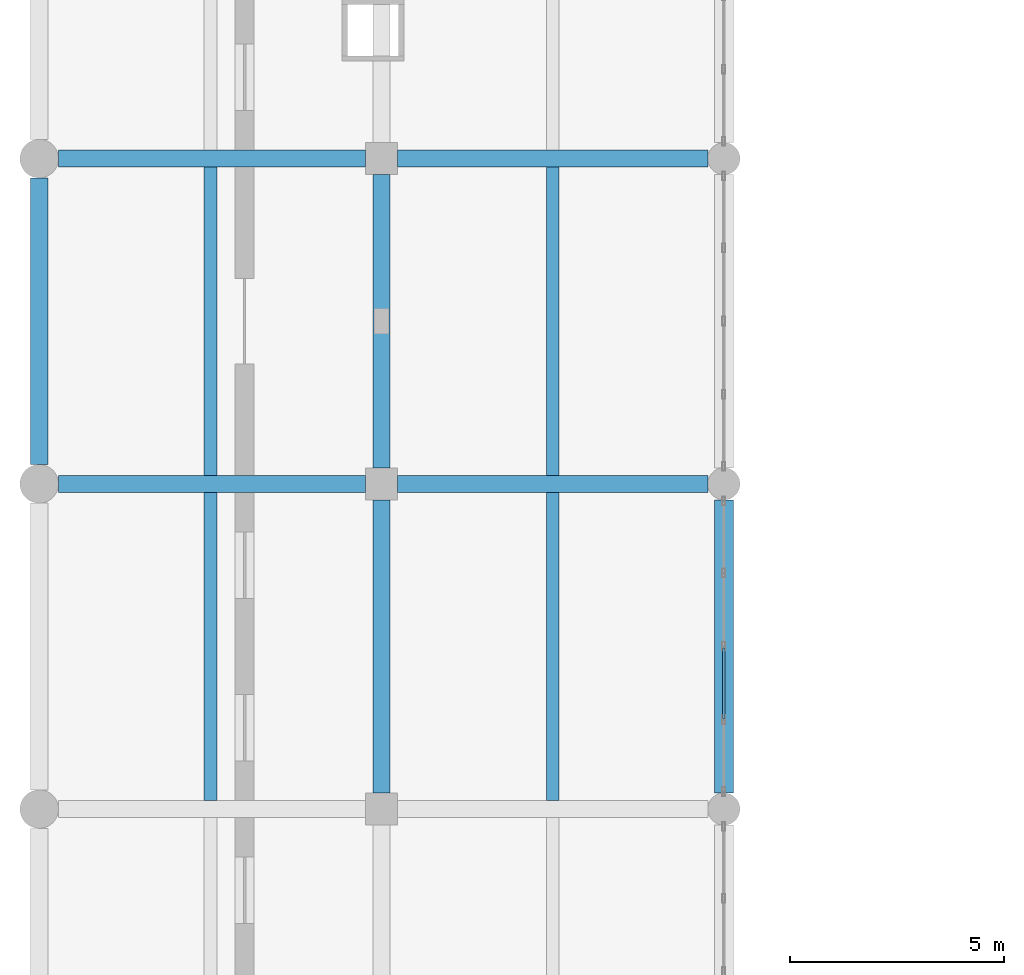
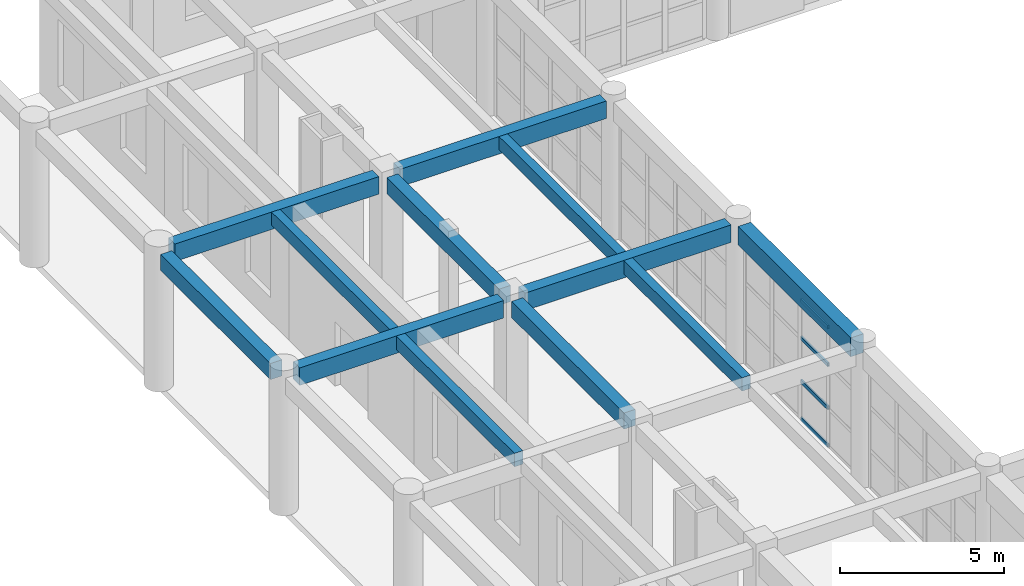
# One storey, part 18 of 95: 12 beams, 4 members, 1 element without a shape of its own.
"""IFC4 building model written with IfcOpenShell, lengths in metres."""

from ifc_helpers import new_model, si_unit, direction, frame, origin, origin_2d, place, context, subcontext, project, spatial, rectangle, hollow_rectangle, extrude, material, material_profile, profile_set, type_object, element, aggregate, save


model = new_model("IFC4")

# Units and contexts
model_context = context("Model", 3, precision=1e-05, world=origin(), true_north=direction((0.0, 1.0)))
body_context = subcontext(model_context, "Body", "Model", "MODEL_VIEW")
ifc_project = project(units=[si_unit("LENGTHUNIT", "METRE"), si_unit("AREAUNIT", "SQUARE_METRE"), si_unit("VOLUMEUNIT", "CUBIC_METRE"), si_unit("PLANEANGLEUNIT", "RADIAN"), si_unit("MASSUNIT", "GRAM", prefix="KILO")], contexts=[model_context])

# Site, building, storey
site_placement = place(None, origin())
site = spatial("IfcSite", under=ifc_project, at=site_placement, CompositionType="ELEMENT")
building_placement = place(site_placement, origin())
building = spatial("IfcBuilding", under=site, at=building_placement, Name="Zantavel Square City Hall", CompositionType="ELEMENT")
storey_placement = place(building_placement, origin())
storey = spatial("IfcBuildingStorey", under=building, at=storey_placement, Name="L01", CompositionType="ELEMENT", Elevation=0.0)

# Curtain wall, members
ifc_material_1 = material(Name="Anodised aluminium 6063-T6", Category="aluminium")
curtain_wall_type = type_object("IfcCurtainWallType", Name="Curtain Wall CRT 6850x4460", PredefinedType="USERDEFINED", material=ifc_material_1)
curtain_wall_placement = place(storey_placement, origin())
curtain_wall = element("IfcCurtainWall", 1, at=curtain_wall_placement, inside=storey, type_object=curtain_wall_type, Name="L01 Glazed Curtain Wall CW-L01-008", ObjectType="GLAZED CURTAIN WALL", PredefinedType="USERDEFINED")
ifc_material_profile_1 = material_profile(ifc_material_1, hollow_rectangle(XDim=0.06005859375, YDim=0.139892578125, WallThickness=0.00390625, at=origin_2d()), Name="ALU 60x140x4")
ifc_profile_set_1 = profile_set([ifc_material_profile_1], Name="Anodised aluminium 6063-T6")
member_type = type_object("IfcMemberType", Name="CW Transom ALU 60x140x4", PredefinedType="USERDEFINED", material=ifc_profile_set_1)
member_1_placement = place(storey_placement, frame((16.0, 49.3701171875, 0.030029296875), z_axis=(0.0, -1.0, 0.0), x_axis=(1.0, 0.0, 0.0)))
member_1 = element("IfcMember", 2, at=member_1_placement, type_object=member_type, Name="CW-008 transom 3.1", ObjectType="TRANSOM", PredefinedType="USERDEFINED", context=body_context, shape_type="SweptSolid", body=[
    extrude(hollow_rectangle(XDim=0.06005859375, YDim=0.139892578125, WallThickness=0.00390625, at=origin_2d()), origin(), (0.0, 0.0, 1.0), 1.652587890625),
])
member_2_placement = place(storey_placement, frame((16.0, 49.3701171875, 1.427001953125), z_axis=(0.0, -1.0, 0.0), x_axis=(1.0, 0.0, 0.0)))
member_2 = element("IfcMember", 3, at=member_2_placement, type_object=member_type, Name="CW-008 transom 3.2", ObjectType="TRANSOM", PredefinedType="USERDEFINED", context=body_context, shape_type="SweptSolid", body=[
    extrude(hollow_rectangle(XDim=0.06005859375, YDim=0.139892578125, WallThickness=0.00390625, at=origin_2d()), origin(), (0.0, 0.0, 1.0), 1.652587890625),
])
member_3_placement = place(storey_placement, frame((16.0, 49.3701171875, 3.032958984375), z_axis=(0.0, -1.0, 0.0), x_axis=(1.0, 0.0, 0.0)))
member_3 = element("IfcMember", 4, at=member_3_placement, type_object=member_type, Name="CW-008 transom 3.3", ObjectType="TRANSOM", PredefinedType="USERDEFINED", context=body_context, shape_type="SweptSolid", body=[
    extrude(hollow_rectangle(XDim=0.06005859375, YDim=0.139892578125, WallThickness=0.00390625, at=origin_2d()), origin(), (0.0, 0.0, 1.0), 1.652587890625),
])
member_4_placement = place(storey_placement, frame((16.0, 49.3701171875, 4.429931640625), z_axis=(0.0, -1.0, 0.0), x_axis=(1.0, 0.0, 0.0)))
member_4 = element("IfcMember", 5, at=member_4_placement, type_object=member_type, Name="CW-008 transom 3.4", ObjectType="TRANSOM", PredefinedType="USERDEFINED", context=body_context, shape_type="SweptSolid", body=[
    extrude(hollow_rectangle(XDim=0.06005859375, YDim=0.139892578125, WallThickness=0.00390625, at=origin_2d()), origin(), (0.0, 0.0, 1.0), 1.652587890625),
])
aggregate(curtain_wall, [member_1, member_2, member_3, member_4])

# Beams
ifc_material_2 = material(Name="Concrete C35/45", Category="concrete")
ifc_material_profile_2 = material_profile(ifc_material_2, rectangle(XDim=0.300048828125, YDim=0.5, at=origin_2d()), Name="RC 300x500")
ifc_profile_set_2 = profile_set([ifc_material_profile_2], Name="Concrete C35/45")
beam_type_1 = type_object("IfcBeamType", Name="Floor Joist RC 300x500 C35/45", PredefinedType="JOIST", material=ifc_profile_set_2)
beam_1_placement = place(storey_placement, frame((4.0, 45.800048828125, 4.89990234375), z_axis=(0.0, 1.0, 0.0), x_axis=(-1.0, 0.0, 0.0)))
element("IfcBeam", 6, at=beam_1_placement, inside=storey, type_object=beam_type_1, Name="L01 Floor Joist JST-L01-0040-0456", PredefinedType="JOIST", context=body_context, shape_type="SweptSolid", body=[
    extrude(rectangle(XDim=0.300048828125, YDim=0.5, at=origin_2d()), origin(), (0.0, 0.0, 1.0), 7.199951171875),
])
beam_2_placement = place(storey_placement, frame((4.0, 53.39990234375, 4.89990234375), z_axis=(0.0, 1.0, 0.0), x_axis=(-1.0, 0.0, 0.0)))
element("IfcBeam", 7, at=beam_2_placement, inside=storey, type_object=beam_type_1, Name="L01 Floor Joist JST-L01-0040-0532", PredefinedType="JOIST", context=body_context, shape_type="SweptSolid", body=[
    extrude(rectangle(XDim=0.300048828125, YDim=0.5, at=origin_2d()), origin(), (0.0, 0.0, 1.0), 7.2001953125),
])
beam_3_placement = place(storey_placement, frame((12.0, 45.800048828125, 4.909912109375), z_axis=(0.0, 1.0, 0.0), x_axis=(-1.0, 0.0, 0.0)))
element("IfcBeam", 8, at=beam_3_placement, inside=storey, type_object=beam_type_1, Name="L01 Floor Joist JST-L01-0120-0456", PredefinedType="JOIST", context=body_context, shape_type="SweptSolid", body=[
    extrude(rectangle(XDim=0.300048828125, YDim=0.5, at=origin_2d()), origin(), (0.0, 0.0, 1.0), 7.199951171875),
])
beam_4_placement = place(storey_placement, frame((12.0, 53.39990234375, 4.909912109375), z_axis=(0.0, 1.0, 0.0), x_axis=(-1.0, 0.0, 0.0)))
element("IfcBeam", 9, at=beam_4_placement, inside=storey, type_object=beam_type_1, Name="L01 Floor Joist JST-L01-0120-0532", PredefinedType="JOIST", context=body_context, shape_type="SweptSolid", body=[
    extrude(rectangle(XDim=0.300048828125, YDim=0.5, at=origin_2d()), origin(), (0.0, 0.0, 1.0), 7.2001953125),
])
ifc_material_profile_3 = material_profile(ifc_material_2, rectangle(XDim=0.39990234375, YDim=0.64990234375, at=origin_2d()), Name="RC 400x650")
ifc_profile_set_3 = profile_set([ifc_material_profile_3], Name="Concrete C35/45")
beam_type_2 = type_object("IfcBeamType", Name="Frame Beam RC 400x650 C35/45", PredefinedType="BEAM", material=ifc_profile_set_3)
for number, where, z_axis, x_axis, name in (
    (10, (0.449951171875, 53.199951171875, 4.824951171875), (1.0, 0.0, 0.0), (0.0, 1.0, 0.0), "L01 Girder BMX-L01-0000-0532"),
    (11, (0.449951171875, 60.800048828125, 4.824951171875), (1.0, 0.0, 0.0), (0.0, 1.0, 0.0), "L01 Girder BMX-L01-0000-0608"),
):
    element("IfcBeam", number, at=place(storey_placement, frame(where, z_axis=z_axis, x_axis=x_axis)), inside=storey, type_object=beam_type_2, Name=name, PredefinedType="BEAM", context=body_context, shape_type="SweptSolid", body=[
        extrude(rectangle(XDim=0.39990234375, YDim=0.64990234375, at=origin_2d()), origin(), (0.0, 0.0, 1.0), 7.175048828125),
    ])
for number, where, z_axis, x_axis, name in (
    (12, (8.375, 53.199951171875, 4.8349609375), (1.0, 0.0, 0.0), (0.0, 1.0, 0.0), "L01 Girder BMX-L01-0080-0532"),
    (13, (8.375, 60.800048828125, 4.8349609375), (1.0, 0.0, 0.0), (0.0, 1.0, 0.0), "L01 Girder BMX-L01-0080-0608"),
):
    element("IfcBeam", number, at=place(storey_placement, frame(where, z_axis=z_axis, x_axis=x_axis)), inside=storey, type_object=beam_type_2, Name=name, PredefinedType="BEAM", context=body_context, shape_type="SweptSolid", body=[
        extrude(rectangle(XDim=0.39990234375, YDim=0.64990234375, at=origin_2d()), origin(), (0.0, 0.0, 1.0), 7.25),
    ])
ifc_material_profile_4 = material_profile(ifc_material_2, rectangle(XDim=0.39990234375, YDim=0.60009765625, at=origin_2d()), Name="RC 400x600")
ifc_profile_set_4 = profile_set([ifc_material_profile_4], Name="Concrete C35/45")
beam_type_3 = type_object("IfcBeamType", Name="Perimeter Spandrel RC 400x600 C35/45", PredefinedType="SPANDREL", material=ifc_profile_set_4)
beam_5_placement = place(storey_placement, frame((0.0, 53.64990234375, 4.85009765625), z_axis=(0.0, 1.0, 0.0), x_axis=(-1.0, 0.0, 0.0)))
element("IfcBeam", 14, at=beam_5_placement, inside=storey, type_object=beam_type_3, Name="L01 Beam BMY-L01-0000-0532", PredefinedType="SPANDREL", context=body_context, shape_type="SweptSolid", body=[
    extrude(rectangle(XDim=0.39990234375, YDim=0.60009765625, at=origin_2d()), origin(), (0.0, 0.0, 1.0), 6.7001953125),
])
beam_6_placement = place(storey_placement, frame((8.0, 45.97509765625, 4.860107421875), z_axis=(0.0, 1.0, 0.0), x_axis=(-1.0, 0.0, 0.0)))
element("IfcBeam", 15, at=beam_6_placement, inside=storey, type_object=beam_type_3, Name="L01 Beam BMY-L01-0080-0456", PredefinedType="SPANDREL", context=body_context, shape_type="SweptSolid", body=[
    extrude(rectangle(XDim=0.39990234375, YDim=0.60009765625, at=origin_2d()), origin(), (0.0, 0.0, 1.0), 6.849853515625),
])
beam_7_placement = place(storey_placement, frame((8.0, 53.574951171875, 4.860107421875), z_axis=(0.0, 1.0, 0.0), x_axis=(-1.0, 0.0, 0.0)))
element("IfcBeam", 16, at=beam_7_placement, inside=storey, type_object=beam_type_3, Name="L01 Beam BMY-L01-0080-0532", PredefinedType="SPANDREL", context=body_context, shape_type="SweptSolid", body=[
    extrude(rectangle(XDim=0.39990234375, YDim=0.60009765625, at=origin_2d()), origin(), (0.0, 0.0, 1.0), 6.85009765625),
])
ifc_material_profile_5 = material_profile(ifc_material_2, rectangle(XDim=0.449951171875, YDim=0.699951171875, at=origin_2d()), Name="RC 450x700")
ifc_profile_set_5 = profile_set([ifc_material_profile_5], Name="Concrete C35/45")
beam_type_4 = type_object("IfcBeamType", Name="Primary Girder RC 450x700 C35/45", PredefinedType="BEAM", material=ifc_profile_set_5)
beam_8_placement = place(storey_placement, frame((16.0, 45.97509765625, 4.81005859375), z_axis=(0.0, 1.0, 0.0), x_axis=(-1.0, 0.0, 0.0)))
element("IfcBeam", 17, at=beam_8_placement, inside=storey, type_object=beam_type_4, Name="L01 Beam BMY-L01-0160-0456", PredefinedType="BEAM", context=body_context, shape_type="SweptSolid", body=[
    extrude(rectangle(XDim=0.449951171875, YDim=0.699951171875, at=origin_2d()), origin(), (0.0, 0.0, 1.0), 6.849853515625),
])

save(model, "model.ifc")
